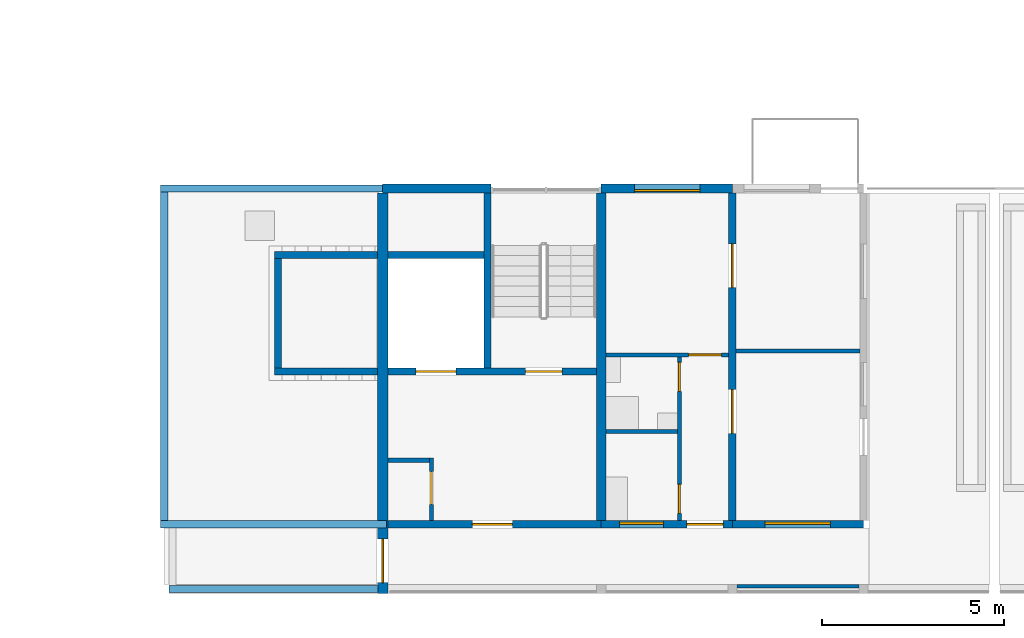
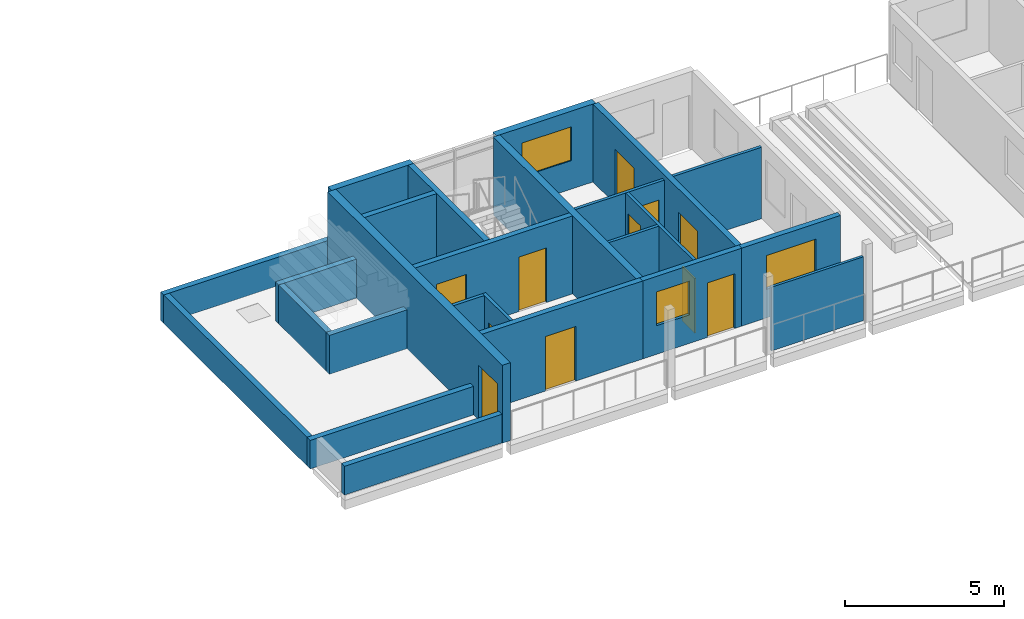
# One storey, part 31 of 55: 25 walls, 11 doors, 3 windows, 14 openings.
"""IFC4 building model written with IfcOpenShell, lengths in metres."""

from ifc_helpers import new_model, si_unit, direction, frame, frame_2d, origin, place, context, subcontext, project, spatial, rectangle, extrude, material, layer, layer_set, type_object, element, fill, save


model = new_model("IFC4")

# Units and contexts
model_context = context("Model", 3, precision=1e-05, world=origin(), true_north=direction((0.0, 1.0)))
body_context = subcontext(model_context, "Body", "Model", "MODEL_VIEW")
ifc_project = project(units=[si_unit("LENGTHUNIT", "METRE"), si_unit("AREAUNIT", "SQUARE_METRE"), si_unit("VOLUMEUNIT", "CUBIC_METRE"), si_unit("PLANEANGLEUNIT", "RADIAN"), si_unit("MASSUNIT", "GRAM", prefix="KILO")], contexts=[model_context])

# Site, building, storey
site_placement = place(None, origin())
site = spatial("IfcSite", under=ifc_project, at=site_placement, CompositionType="ELEMENT")
building_placement = place(site_placement, origin())
building = spatial("IfcBuilding", under=site, at=building_placement, Name="Ridgestep Commons", CompositionType="ELEMENT")
storey_placement = place(building_placement, frame((0.0, 0.0, 36.0)))
storey = spatial("IfcBuildingStorey", under=building, at=storey_placement, Name="L12", CompositionType="ELEMENT", Elevation=36.0)

# Wall
ifc_material_1 = material(Name="Concrete C30/37", Category="concrete")
ifc_layer_1 = layer(ifc_material_1, 0.25)
ifc_layer_set_1 = layer_set([ifc_layer_1], Name="Core cross wall 250")
wall_type_1 = type_object("IfcWallType", Name="Core cross wall 250", PredefinedType="SHEAR", material=ifc_layer_set_1)
wall_1_placement = place(storey_placement, frame((169.60009765625, 13.75, 0.0), z_axis=(0.0, 0.0, 1.0), x_axis=(0.0, 1.0, 0.0)))
element("IfcWall", 1, at=wall_1_placement, inside=storey, type_object=wall_type_1, Name="Cross wall D-12-1696", PredefinedType="SHEAR", context=body_context, shape_type="SweptSolid", body=[
    extrude(rectangle(XDim=9.0, YDim=0.25, at=frame_2d((4.5, 0.0))), origin(), (0.0, 0.0, 1.0), 3.0),
])

# Wall, opening, door
ifc_material_2 = material(Name="Concrete C30/37", Category="concrete")
ifc_layer_2 = layer(ifc_material_2, 0.199951171875)
ifc_layer_set_2 = layer_set([ifc_layer_2], Name="Core south wall 200")
wall_type_2 = type_object("IfcWallType", Name="Core south wall 200", PredefinedType="SHEAR", material=ifc_layer_set_2)
wall_2_placement = place(storey_placement, frame((163.75, 13.64990234375, 0.0), z_axis=(0.0, 0.0, 1.0), x_axis=(1.0, 0.0, 0.0)))
wall_2 = element("IfcWall", 2, at=wall_2_placement, inside=storey, type_object=wall_type_2, Name="Core south wall D2C L12", PredefinedType="SHEAR", context=body_context, shape_type="SweptSolid", body=[
    extrude(rectangle(XDim=5.85009765625, YDim=0.199951171875, at=frame_2d((2.925048828125, 0.0))), origin(), (0.0, 0.0, 1.0), 3.0),
])
opening_1_placement = place(wall_2_placement, frame((2.3125, 0.0, 0.0)))
opening_1 = element("IfcOpeningElement", 3, at=opening_1_placement, cuts=wall_2, Name="Opening D2C/12/1", PredefinedType="OPENING", context=body_context, shape_type="SweptSolid", body=[
    extrude(rectangle(XDim=1.10009765625, YDim=2.10009765625, at=frame_2d((0.550048828125, 1.050048828125))), frame((0.0, 0.10986328125, 0.0), z_axis=(0.0, -1.0, 0.0), x_axis=(1.0, 0.0, 0.0)), (0.0, 0.0, 1.0), 0.219970703125),
])
ifc_material_3 = material(Name="Steel fire door", Category="steel")
door_type_1 = type_object("IfcDoorType", Name="Lobby door 1100 x 2100 FD60", OperationType="NOTDEFINED", PredefinedType="DOOR", material=ifc_material_3)
door_1_placement = place(opening_1_placement, origin())
door_1 = element("IfcDoor", 4, at=door_1_placement, inside=storey, type_object=door_type_1, Name="Lobby door D2C/12/1", OperationType="SINGLE_SWING_LEFT", OverallHeight=2.10009765625, OverallWidth=1.10009765625, PredefinedType="DOOR", context=body_context, shape_type="SweptSolid", body=[
    extrude(rectangle(XDim=1.10009765625, YDim=2.10009765625, at=frame_2d((0.550048828125, 1.050048828125))), frame((0.0, 0.02490234375, 0.0), z_axis=(0.0, -1.0, 0.0), x_axis=(1.0, 0.0, 0.0)), (0.0, 0.0, 1.0), 0.050048828125),
])
fill(opening_1, door_1)

ifc_material_4 = material(Name="Concrete C30/37", Category="concrete")
ifc_layer_3 = layer(ifc_material_4, 0.1201171875)
ifc_layer_set_3 = layer_set([ifc_layer_3], Name="Core wall 120")
wall_type_3 = type_object("IfcWallType", Name="Core wall 120", PredefinedType="SHEAR", material=ifc_layer_set_3)
wall_3_placement = place(storey_placement, frame((164.93994140625, 13.75, 0.0), z_axis=(0.0, 0.0, 1.0), x_axis=(0.0, 1.0, 0.0)))
wall_3 = element("IfcWall", 5, at=wall_3_placement, inside=storey, type_object=wall_type_3, Name="Core riser w wall D2C L12", PredefinedType="SHEAR", context=body_context, shape_type="SweptSolid", body=[
    extrude(rectangle(XDim=1.719970703125, YDim=0.1201171875, at=frame_2d((0.85986328125, 0.0))), origin(), (0.0, 0.0, 1.0), 3.0),
])
opening_2_placement = place(wall_3_placement, frame((0.449951171875, 0.0, 0.0)))
opening_2 = element("IfcOpeningElement", 6, at=opening_2_placement, cuts=wall_3, Name="Opening D2C/12/4", PredefinedType="OPENING", context=body_context, shape_type="SweptSolid", body=[
    extrude(rectangle(XDim=0.89990234375, YDim=2.10009765625, at=frame_2d((0.449951171875, 1.050048828125))), frame((0.0, 0.070068359375, 0.0), z_axis=(0.0, -1.0, 0.0), x_axis=(1.0, 0.0, 0.0)), (0.0, 0.0, 1.0), 0.14013671875),
])
ifc_material_5 = material(Name="Steel fire door", Category="steel")
door_type_2 = type_object("IfcDoorType", Name="Riser door 900 x 2100 FD60", OperationType="NOTDEFINED", PredefinedType="DOOR", material=ifc_material_5)
door_2_placement = place(opening_2_placement, origin())
door_2 = element("IfcDoor", 7, at=door_2_placement, inside=storey, type_object=door_type_2, Name="Riser door D2C/12/4", OperationType="SINGLE_SWING_RIGHT", OverallHeight=2.10009765625, OverallWidth=0.89990234375, PredefinedType="DOOR", context=body_context, shape_type="SweptSolid", body=[
    extrude(rectangle(XDim=0.89990234375, YDim=2.10009765625, at=frame_2d((0.449951171875, 1.050048828125))), frame((0.0, 0.02490234375, 0.0), z_axis=(0.0, -1.0, 0.0), x_axis=(1.0, 0.0, 0.0)), (0.0, 0.0, 1.0), 0.050048828125),
])
fill(opening_2, door_2)

# Wall
wall_4_placement = place(storey_placement, frame((163.75, 15.409912109375, 0.0), z_axis=(0.0, 0.0, 1.0), x_axis=(1.0, 0.0, 0.0)))
element("IfcWall", 8, at=wall_4_placement, inside=storey, type_object=wall_type_3, Name="Core riser n wall D2C L12", PredefinedType="SHEAR", context=body_context, shape_type="SweptSolid", body=[
    extrude(rectangle(XDim=1.1298828125, YDim=0.1201171875, at=frame_2d((0.56494140625, 0.0))), origin(), (0.0, 0.0, 1.0), 3.0),
])

# Wall, openings, doors
ifc_material_6 = material(Name="Concrete C30/37", Category="concrete")
ifc_layer_4 = layer(ifc_material_6, 0.199951171875)
ifc_layer_set_4 = layer_set([ifc_layer_4], Name="Core wall 200")
wall_type_4 = type_object("IfcWallType", Name="Core wall 200", PredefinedType="SHEAR", material=ifc_layer_set_4)
wall_5_placement = place(storey_placement, frame((163.75, 17.85009765625, 0.0), z_axis=(0.0, 0.0, 1.0), x_axis=(1.0, 0.0, 0.0)))
wall_5 = element("IfcWall", 9, at=wall_5_placement, inside=storey, type_object=wall_type_4, Name="Core lobby wall D2C L12", PredefinedType="SHEAR", context=body_context, shape_type="SweptSolid", body=[
    extrude(rectangle(XDim=5.72509765625, YDim=0.199951171875, at=frame_2d((2.862548828125, 0.0))), origin(), (0.0, 0.0, 1.0), 3.0),
])
opening_3_placement = place(wall_5_placement, frame((3.77490234375, 0.0, 0.0)))
opening_3 = element("IfcOpeningElement", 10, at=opening_3_placement, cuts=wall_5, Name="Opening D2C/12/2", PredefinedType="OPENING", context=body_context, shape_type="SweptSolid", body=[
    extrude(rectangle(XDim=1.0, YDim=2.10009765625, at=frame_2d((0.5, 1.050048828125))), frame((0.0, 0.10986328125, 0.0), z_axis=(0.0, -1.0, 0.0), x_axis=(1.0, 0.0, 0.0)), (0.0, 0.0, 1.0), 0.219970703125),
])
opening_4_placement = place(wall_5_placement, frame((0.762451171875, 0.0, 0.0)))
opening_4 = element("IfcOpeningElement", 11, at=opening_4_placement, cuts=wall_5, Name="Opening D2C/12/3", PredefinedType="OPENING", context=body_context, shape_type="SweptSolid", body=[
    extrude(rectangle(XDim=1.10009765625, YDim=2.10009765625, at=frame_2d((0.550048828125, 1.050048828125))), frame((0.0, 0.10986328125, 0.0), z_axis=(0.0, -1.0, 0.0), x_axis=(1.0, 0.0, 0.0)), (0.0, 0.0, 1.0), 0.219970703125),
])
ifc_material_7 = material(Name="Stainless steel", Category="steel")
door_type_3 = type_object("IfcDoorType", Name="Lift landing door 1100 x 2100 FD60", OperationType="DOUBLE_DOOR_SLIDING", PredefinedType="DOOR", material=ifc_material_7)
door_3_placement = place(opening_4_placement, origin())
door_3 = element("IfcDoor", 12, at=door_3_placement, inside=storey, type_object=door_type_3, Name="Landing door LD D2C L12", OperationType="DOUBLE_DOOR_SLIDING", OverallHeight=2.10009765625, OverallWidth=1.10009765625, PredefinedType="DOOR", context=body_context, shape_type="SweptSolid", body=[
    extrude(rectangle(XDim=1.10009765625, YDim=2.10009765625, at=frame_2d((0.550048828125, 1.050048828125))), frame((0.0, 0.02490234375, 0.0), z_axis=(0.0, -1.0, 0.0), x_axis=(1.0, 0.0, 0.0)), (0.0, 0.0, 1.0), 0.050048828125),
])
fill(opening_4, door_3)
ifc_material_8 = material(Name="Steel fire door", Category="steel")
door_type_4 = type_object("IfcDoorType", Name="Stair door 1000 x 2100 FD60", OperationType="NOTDEFINED", PredefinedType="DOOR", material=ifc_material_8)
door_4_placement = place(opening_3_placement, origin())
door_4 = element("IfcDoor", 13, at=door_4_placement, inside=storey, type_object=door_type_4, Name="Stair door D2C/12/2", OperationType="SINGLE_SWING_RIGHT", OverallHeight=2.10009765625, OverallWidth=1.0, PredefinedType="DOOR", context=body_context, shape_type="SweptSolid", body=[
    extrude(rectangle(XDim=1.0, YDim=2.10009765625, at=frame_2d((0.5, 1.050048828125))), frame((0.0, 0.02490234375, 0.0), z_axis=(0.0, -1.0, 0.0), x_axis=(1.0, 0.0, 0.0)), (0.0, 0.0, 1.0), 0.050048828125),
])
fill(opening_3, door_4)

# Walls
wall_6_placement = place(storey_placement, frame((166.47509765625, 17.949951171875, 0.0), z_axis=(0.0, 0.0, 1.0), x_axis=(0.0, 1.0, 0.0)))
element("IfcWall", 14, at=wall_6_placement, inside=storey, type_object=wall_type_4, Name="Core stair wall D2C L12", PredefinedType="SHEAR", context=body_context, shape_type="SweptSolid", body=[
    extrude(rectangle(XDim=4.800048828125, YDim=0.199951171875, at=frame_2d((2.39990234375, 0.0))), origin(), (0.0, 0.0, 1.0), 3.0),
])
wall_7_placement = place(storey_placement, frame((163.75, 21.050048828125, 0.0), z_axis=(0.0, 0.0, 1.0), x_axis=(1.0, 0.0, 0.0)))
element("IfcWall", 15, at=wall_7_placement, inside=storey, type_object=wall_type_4, Name="Core duct wall D2C L12", PredefinedType="SHEAR", context=body_context, shape_type="SweptSolid", body=[
    extrude(rectangle(XDim=2.625, YDim=0.199951171875, at=frame_2d((1.3125, 0.0))), origin(), (0.0, 0.0, 1.0), 3.0),
])

# Wall, openings, doors
ifc_material_9 = material(Name="Precast concrete C40/50", Category="concrete")
ifc_layer_5 = layer(ifc_material_9, 0.199951171875)
ifc_layer_set_5 = layer_set([ifc_layer_5], Name="Cross wall 200")
wall_type_5 = type_object("IfcWallType", Name="Cross wall 200", PredefinedType="SHEAR", material=ifc_layer_set_5)
wall_8_placement = place(storey_placement, frame((173.199951171875, 13.75, 0.0), z_axis=(0.0, 0.0, 1.0), x_axis=(0.0, 1.0, 0.0)))
wall_8 = element("IfcWall", 16, at=wall_8_placement, inside=storey, type_object=wall_type_5, Name="Cross wall D-12-1732", PredefinedType="SHEAR", context=body_context, shape_type="SweptSolid", body=[
    extrude(rectangle(XDim=9.0, YDim=0.199951171875, at=frame_2d((4.5, 0.0))), origin(), (0.0, 0.0, 1.0), 3.0),
])
opening_5_placement = place(wall_8_placement, frame((2.39990234375, 0.0, 0.0)))
opening_5 = element("IfcOpeningElement", 17, at=opening_5_placement, cuts=wall_8, Name="Opening D2-12a/5", PredefinedType="OPENING", context=body_context, shape_type="SweptSolid", body=[
    extrude(rectangle(XDim=1.199951171875, YDim=2.10009765625, at=frame_2d((0.60009765625, 1.050048828125))), frame((0.0, 0.10986328125, 0.0), z_axis=(0.0, -1.0, 0.0), x_axis=(1.0, 0.0, 0.0)), (0.0, 0.0, 1.0), 0.219970703125),
])
opening_6_placement = place(wall_8_placement, frame((6.39990234375, 0.0, 0.0)))
opening_6 = element("IfcOpeningElement", 18, at=opening_6_placement, cuts=wall_8, Name="Opening D2-12a/6", PredefinedType="OPENING", context=body_context, shape_type="SweptSolid", body=[
    extrude(rectangle(XDim=1.199951171875, YDim=2.10009765625, at=frame_2d((0.60009765625, 1.050048828125))), frame((0.0, 0.10986328125, 0.0), z_axis=(0.0, -1.0, 0.0), x_axis=(1.0, 0.0, 0.0)), (0.0, 0.0, 1.0), 0.219970703125),
])
ifc_material_10 = material(Name="Timber door leaf", Category="wood")
door_type_5 = type_object("IfcDoorType", Name="Double door 1200 x 2100", OperationType="DOUBLE_DOOR_SINGLE_SWING", PredefinedType="DOOR", material=ifc_material_10)
door_5_placement = place(opening_5_placement, origin())
door_5 = element("IfcDoor", 19, at=door_5_placement, inside=storey, type_object=door_type_5, Name="Double door D2-12a/5", OperationType="DOUBLE_DOOR_SINGLE_SWING", OverallHeight=2.10009765625, OverallWidth=1.199951171875, PredefinedType="DOOR", context=body_context, shape_type="SweptSolid", body=[
    extrude(rectangle(XDim=1.199951171875, YDim=2.10009765625, at=frame_2d((0.60009765625, 1.050048828125))), frame((0.0, 0.02490234375, 0.0), z_axis=(0.0, -1.0, 0.0), x_axis=(1.0, 0.0, 0.0)), (0.0, 0.0, 1.0), 0.050048828125),
])
fill(opening_5, door_5)
door_6_placement = place(opening_6_placement, origin())
door_6 = element("IfcDoor", 20, at=door_6_placement, inside=storey, type_object=door_type_5, Name="Double door D2-12a/6", OperationType="DOUBLE_DOOR_SINGLE_SWING", OverallHeight=2.10009765625, OverallWidth=1.199951171875, PredefinedType="DOOR", context=body_context, shape_type="SweptSolid", body=[
    extrude(rectangle(XDim=1.199951171875, YDim=2.10009765625, at=frame_2d((0.60009765625, 1.050048828125))), frame((0.0, 0.02490234375, 0.0), z_axis=(0.0, -1.0, 0.0), x_axis=(1.0, 0.0, 0.0)), (0.0, 0.0, 1.0), 0.050048828125),
])
fill(opening_6, door_6)

# Wall, opening, door
ifc_material_11 = material(Name="Precast concrete C40/50", Category="concrete")
ifc_layer_6 = layer(ifc_material_11, 0.300048828125)
ifc_layer_set_6 = layer_set([ifc_layer_6], Name="Exposed division wall 300")
wall_type_6 = type_object("IfcWallType", Name="Exposed division wall 300", PredefinedType="SHEAR", material=ifc_layer_set_6)
wall_9_placement = place(storey_placement, frame((163.60009765625, 11.75, 0.0), z_axis=(0.0, 0.0, 1.0), x_axis=(0.0, 1.0, 0.0)))
wall_9 = element("IfcWall", 21, at=wall_9_placement, inside=storey, type_object=wall_type_6, Name="Cross wall D-12-1636", PredefinedType="SHEAR", context=body_context, shape_type="SweptSolid", body=[
    extrude(rectangle(XDim=11.0, YDim=0.300048828125, at=frame_2d((5.5, 0.0))), origin(), (0.0, 0.0, 1.0), 3.0),
])
opening_7_placement = place(wall_9_placement, frame((0.300048828125, 0.0, 0.0)))
opening_7 = element("IfcOpeningElement", 22, at=opening_7_placement, cuts=wall_9, Name="Opening D/12/G1636", PredefinedType="OPENING", context=body_context, shape_type="SweptSolid", body=[
    extrude(rectangle(XDim=1.199951171875, YDim=2.10009765625, at=frame_2d((0.60009765625, 1.050048828125))), frame((0.0, 0.159912109375, 0.0), z_axis=(0.0, -1.0, 0.0), x_axis=(1.0, 0.0, 0.0)), (0.0, 0.0, 1.0), 0.320068359375),
])
ifc_material_12 = material(Name="Steel fire door", Category="steel")
door_type_6 = type_object("IfcDoorType", Name="Division fire door 1200 x 2100 EI 240", OperationType="DOUBLE_DOOR_SINGLE_SWING", PredefinedType="DOOR", material=ifc_material_12)
door_7_placement = place(opening_7_placement, origin())
door_7 = element("IfcDoor", 23, at=door_7_placement, inside=storey, type_object=door_type_6, Name="Division fire door D/12/G1636", OperationType="DOUBLE_DOOR_SINGLE_SWING", OverallHeight=2.10009765625, OverallWidth=1.199951171875, PredefinedType="DOOR", context=body_context, shape_type="SweptSolid", body=[
    extrude(rectangle(XDim=1.199951171875, YDim=2.10009765625, at=frame_2d((0.60009765625, 1.050048828125))), frame((0.0, 0.02490234375, 0.0), z_axis=(0.0, -1.0, 0.0), x_axis=(1.0, 0.0, 0.0)), (0.0, 0.0, 1.0), 0.050048828125),
])
fill(opening_7, door_7)

# Walls
ifc_material_13 = material(Name="Concrete C30/37", Category="concrete")
ifc_layer_7 = layer(ifc_material_13, 0.199951171875)
ifc_layer_set_7 = layer_set([ifc_layer_7], Name="Lift overrun wall 200")
wall_type_7 = type_object("IfcWallType", Name="Lift overrun wall 200", PredefinedType="SHEAR", material=ifc_layer_set_7)
for number, where, z_axis, x_axis, name in (
    (24, (160.625, 17.85009765625, 0.0), (0.0, 0.0, 1.0), (1.0, 0.0, 0.0), "Lift overrun wall D1C"),
    (25, (160.625, 21.050048828125, 0.0), (0.0, 0.0, 1.0), (1.0, 0.0, 0.0), "Lift overrun wall D1C"),
):
    element("IfcWall", number, at=place(storey_placement, frame(where, z_axis=z_axis, x_axis=x_axis)), inside=storey, type_object=wall_type_7, Name=name, PredefinedType="SHEAR", context=body_context, shape_type="SweptSolid", body=[
        extrude(rectangle(XDim=2.824951171875, YDim=0.199951171875, at=frame_2d((1.41259765625, 0.0))), origin(), (0.0, 0.0, 1.0), 1.5),
    ])
wall_10_placement = place(storey_placement, frame((160.72509765625, 17.949951171875, 0.0), z_axis=(0.0, 0.0, 1.0), x_axis=(0.0, 1.0, 0.0)))
element("IfcWall", 26, at=wall_10_placement, inside=storey, type_object=wall_type_7, Name="Lift overrun wall D1C", PredefinedType="SHEAR", context=body_context, shape_type="SweptSolid", body=[
    extrude(rectangle(XDim=3.0, YDim=0.199951171875, at=frame_2d((1.5, 0.0))), origin(), (0.0, 0.0, 1.0), 1.5),
])
ifc_material_14 = material(Name="Precast concrete C40/50", Category="concrete")
ifc_layer_8 = layer(ifc_material_14, 0.25)
ifc_layer_set_8 = layer_set([ifc_layer_8], Name="North facade panel 250")
wall_type_8 = type_object("IfcWallType", Name="North facade panel 250", PredefinedType="SOLIDWALL", material=ifc_layer_set_8)
wall_11_placement = place(storey_placement, frame((163.60009765625, 22.875, 0.0), z_axis=(0.0, 0.0, 1.0), x_axis=(1.0, 0.0, 0.0)))
element("IfcWall", 27, at=wall_11_placement, inside=storey, type_object=wall_type_8, Name="North panel D2C L12", PredefinedType="SOLIDWALL", context=body_context, shape_type="SweptSolid", body=[
    extrude(rectangle(XDim=2.974853515625, YDim=0.25, at=frame_2d((1.4873046875, 0.0))), origin(), (0.0, 0.0, 1.0), 3.0),
])

# Wall, opening, window
wall_12_placement = place(storey_placement, frame((169.60009765625, 22.875, 0.0), z_axis=(0.0, 0.0, 1.0), x_axis=(1.0, 0.0, 0.0)))
wall_12 = element("IfcWall", 28, at=wall_12_placement, inside=storey, type_object=wall_type_8, Name="North panel D2T3 L12", PredefinedType="SOLIDWALL", context=body_context, shape_type="SweptSolid", body=[
    extrude(rectangle(XDim=3.599853515625, YDim=0.25, at=frame_2d((1.7998046875, 0.0))), origin(), (0.0, 0.0, 1.0), 3.0),
])
opening_8_placement = place(wall_12_placement, frame((0.91259765625, 0.0, 1.10009765625)))
opening_8 = element("IfcOpeningElement", 29, at=opening_8_placement, cuts=wall_12, Name="Opening W18", PredefinedType="OPENING", context=body_context, shape_type="SweptSolid", body=[
    extrude(rectangle(XDim=1.800048828125, YDim=1.300048828125, at=frame_2d((0.89990234375, 0.64990234375))), frame((0.0, 0.135009765625, 0.0), z_axis=(0.0, -1.0, 0.0), x_axis=(1.0, 0.0, 0.0)), (0.0, 0.0, 1.0), 0.27001953125),
])
ifc_material_15 = material(Name="Aluminium 6063-T6 and glass", Category="aluminium")
window_type_1 = type_object("IfcWindowType", Name="Flat window 1800 x 1300", PartitioningType="DOUBLE_PANEL_VERTICAL", PredefinedType="WINDOW", material=ifc_material_15)
window_1_placement = place(opening_8_placement, origin())
window_1 = element("IfcWindow", 30, at=window_1_placement, inside=storey, type_object=window_type_1, Name="Window D2-12a 4", OverallHeight=1.300048828125, OverallWidth=1.800048828125, PartitioningType="SINGLE_PANEL", PredefinedType="WINDOW", context=body_context, shape_type="SweptSolid", body=[
    extrude(rectangle(XDim=1.800048828125, YDim=1.300048828125, at=frame_2d((0.89990234375, 0.64990234375))), frame((0.0, -0.02490234375, 0.0), z_axis=(0.0, -1.0, 0.0), x_axis=(1.0, 0.0, 0.0)), (0.0, 0.0, 1.0), 0.06005859375),
])
fill(opening_8, window_1)

# Walls
ifc_material_16 = material(Name="Precast concrete C40/50", Category="concrete")
ifc_layer_9 = layer(ifc_material_16, 0.199951171875)
ifc_layer_set_9 = layer_set([ifc_layer_9], Name="Parapet wall 200")
wall_type_9 = type_object("IfcWallType", Name="Parapet wall 200", PredefinedType="PARAPET", material=ifc_layer_set_9)
for number, where, z_axis, x_axis, name in (
    (31, (157.5, 22.875, 0.0), (0.0, 0.0, 1.0), (1.0, 0.0, 0.0), "Parapet D1C north"),
    (32, (157.5, 13.64990234375, 0.0), (0.0, 0.0, 1.0), (1.0, 0.0, 0.0), "Parapet D1C south"),
):
    element("IfcWall", number, at=place(storey_placement, frame(where, z_axis=z_axis, x_axis=x_axis)), inside=storey, type_object=wall_type_9, Name=name, PredefinedType="PARAPET", context=body_context, shape_type="SweptSolid", body=[
        extrude(rectangle(XDim=6.199951171875, YDim=0.199951171875, at=frame_2d((3.10009765625, 0.0))), origin(), (0.0, 0.0, 1.0), 1.10009765625),
    ])
wall_13_placement = place(storey_placement, frame((157.60009765625, 13.75, 0.0), z_axis=(0.0, 0.0, 1.0), x_axis=(0.0, 1.0, 0.0)))
element("IfcWall", 33, at=wall_13_placement, inside=storey, type_object=wall_type_9, Name="Parapet D1C west", PredefinedType="PARAPET", context=body_context, shape_type="SweptSolid", body=[
    extrude(rectangle(XDim=9.02490234375, YDim=0.199951171875, at=frame_2d((4.512451171875, 0.0))), origin(), (0.0, 0.0, 1.0), 1.10009765625),
])
wall_14_placement = place(storey_placement, frame((157.72509765625, 11.875, 0.0), z_axis=(0.0, 0.0, 1.0), x_axis=(1.0, 0.0, 0.0)))
element("IfcWall", 34, at=wall_14_placement, inside=storey, type_object=wall_type_9, Name="Parapet D1C gallery south", PredefinedType="PARAPET", context=body_context, shape_type="SweptSolid", body=[
    extrude(rectangle(XDim=5.75, YDim=0.199951171875, at=frame_2d((2.875, 0.0))), origin(), (0.0, 0.0, 1.0), 1.10009765625),
])
ifc_material_17 = material(Name="Common brick 110 mm", Category="masonry")
ifc_layer_10 = layer(ifc_material_17, 0.110107421875)
ifc_layer_set_10 = layer_set([ifc_layer_10], Name="Partition 110")
wall_type_10 = type_object("IfcWallType", Name="Partition 110", PredefinedType="PARTITIONING", material=ifc_layer_set_10)
wall_15_placement = place(storey_placement, frame((169.72509765625, 16.205078125, 0.0), z_axis=(0.0, 0.0, 1.0), x_axis=(1.0, 0.0, 0.0)))
element("IfcWall", 35, at=wall_15_placement, inside=storey, type_object=wall_type_10, Name="Partition D2-12a", PredefinedType="PARTITIONING", context=body_context, shape_type="SweptSolid", body=[
    extrude(rectangle(XDim=1.96484375, YDim=0.110107421875, at=frame_2d((0.982421875, 0.0))), origin(), (0.0, 0.0, 1.0), 2.800048828125),
])

# Wall, openings, doors
wall_16_placement = place(storey_placement, frame((171.7451171875, 13.75, 0.0), z_axis=(0.0, 0.0, 1.0), x_axis=(0.0, 1.0, 0.0)))
wall_16 = element("IfcWall", 36, at=wall_16_placement, inside=storey, type_object=wall_type_10, Name="Partition D2-12a", PredefinedType="PARTITIONING", context=body_context, shape_type="SweptSolid", body=[
    extrude(rectangle(XDim=4.5, YDim=0.110107421875, at=frame_2d((2.25, 0.0))), origin(), (0.0, 0.0, 1.0), 2.800048828125),
])
opening_9_placement = place(wall_16_placement, frame((0.199951171875, 0.0, 0.0)))
opening_9 = element("IfcOpeningElement", 37, at=opening_9_placement, cuts=wall_16, Name="Opening D2-12a/2", PredefinedType="OPENING", context=body_context, shape_type="SweptSolid", body=[
    extrude(rectangle(XDim=0.800048828125, YDim=2.10009765625, at=frame_2d((0.39990234375, 1.050048828125))), frame((0.0, 0.06494140625, 0.0), z_axis=(0.0, -1.0, 0.0), x_axis=(1.0, 0.0, 0.0)), (0.0, 0.0, 1.0), 0.130126953125),
])
opening_10_placement = place(wall_16_placement, frame((3.550048828125, 0.0, 0.0)))
opening_10 = element("IfcOpeningElement", 38, at=opening_10_placement, cuts=wall_16, Name="Opening D2-12a/3", PredefinedType="OPENING", context=body_context, shape_type="SweptSolid", body=[
    extrude(rectangle(XDim=0.800048828125, YDim=2.10009765625, at=frame_2d((0.39990234375, 1.050048828125))), frame((0.0, 0.06494140625, 0.0), z_axis=(0.0, -1.0, 0.0), x_axis=(1.0, 0.0, 0.0)), (0.0, 0.0, 1.0), 0.130126953125),
])
ifc_material_18 = material(Name="Timber door leaf", Category="wood")
door_type_7 = type_object("IfcDoorType", Name="Internal door 800 x 2100", OperationType="NOTDEFINED", PredefinedType="DOOR", material=ifc_material_18)
door_8_placement = place(opening_9_placement, origin())
door_8 = element("IfcDoor", 39, at=door_8_placement, inside=storey, type_object=door_type_7, Name="Internal door D2-12a/2", OperationType="SINGLE_SWING_LEFT", OverallHeight=2.10009765625, OverallWidth=0.800048828125, PredefinedType="DOOR", context=body_context, shape_type="SweptSolid", body=[
    extrude(rectangle(XDim=0.800048828125, YDim=2.10009765625, at=frame_2d((0.39990234375, 1.050048828125))), frame((0.0, 0.02490234375, 0.0), z_axis=(0.0, -1.0, 0.0), x_axis=(1.0, 0.0, 0.0)), (0.0, 0.0, 1.0), 0.050048828125),
])
fill(opening_9, door_8)
door_9_placement = place(opening_10_placement, origin())
door_9 = element("IfcDoor", 40, at=door_9_placement, inside=storey, type_object=door_type_7, Name="Internal door D2-12a/3", OperationType="SINGLE_SWING_RIGHT", OverallHeight=2.10009765625, OverallWidth=0.800048828125, PredefinedType="DOOR", context=body_context, shape_type="SweptSolid", body=[
    extrude(rectangle(XDim=0.800048828125, YDim=2.10009765625, at=frame_2d((0.39990234375, 1.050048828125))), frame((0.0, 0.02490234375, 0.0), z_axis=(0.0, -1.0, 0.0), x_axis=(1.0, 0.0, 0.0)), (0.0, 0.0, 1.0), 0.050048828125),
])
fill(opening_10, door_9)

# Wall, opening, door
wall_17_placement = place(storey_placement, frame((169.72509765625, 18.304931640625, 0.0), z_axis=(0.0, 0.0, 1.0), x_axis=(1.0, 0.0, 0.0)))
wall_17 = element("IfcWall", 41, at=wall_17_placement, inside=storey, type_object=wall_type_10, Name="Partition D2-12a", PredefinedType="PARTITIONING", context=body_context, shape_type="SweptSolid", body=[
    extrude(rectangle(XDim=3.375, YDim=0.110107421875, at=frame_2d((1.6875, 0.0))), origin(), (0.0, 0.0, 1.0), 2.800048828125),
])
opening_11_placement = place(wall_17_placement, frame((2.27490234375, 0.0, 0.0)))
opening_11 = element("IfcOpeningElement", 42, at=opening_11_placement, cuts=wall_17, Name="Opening D2-12a/4", PredefinedType="OPENING", context=body_context, shape_type="SweptSolid", body=[
    extrude(rectangle(XDim=0.89990234375, YDim=2.10009765625, at=frame_2d((0.449951171875, 1.050048828125))), frame((0.0, 0.06494140625, 0.0), z_axis=(0.0, -1.0, 0.0), x_axis=(1.0, 0.0, 0.0)), (0.0, 0.0, 1.0), 0.130126953125),
])
ifc_material_19 = material(Name="Timber door leaf", Category="wood")
door_type_8 = type_object("IfcDoorType", Name="Internal door 900 x 2100", OperationType="NOTDEFINED", PredefinedType="DOOR", material=ifc_material_19)
door_10_placement = place(opening_11_placement, origin())
door_10 = element("IfcDoor", 43, at=door_10_placement, inside=storey, type_object=door_type_8, Name="Internal door D2-12a/4", OperationType="SINGLE_SWING_LEFT", OverallHeight=2.10009765625, OverallWidth=0.89990234375, PredefinedType="DOOR", context=body_context, shape_type="SweptSolid", body=[
    extrude(rectangle(XDim=0.89990234375, YDim=2.10009765625, at=frame_2d((0.449951171875, 1.050048828125))), frame((0.0, 0.02490234375, 0.0), z_axis=(0.0, -1.0, 0.0), x_axis=(1.0, 0.0, 0.0)), (0.0, 0.0, 1.0), 0.050048828125),
])
fill(opening_11, door_10)

# Walls
wall_18_placement = place(storey_placement, frame((173.300048828125, 18.405029296875, 0.0), z_axis=(0.0, 0.0, 1.0), x_axis=(1.0, 0.0, 0.0)))
element("IfcWall", 44, at=wall_18_placement, inside=storey, type_object=wall_type_10, Name="Partition D2-12a", PredefinedType="PARTITIONING", context=body_context, shape_type="SweptSolid", body=[
    extrude(rectangle(XDim=3.39990234375, YDim=0.110107421875, at=frame_2d((1.699951171875, 0.0))), origin(), (0.0, 0.0, 1.0), 2.75),
])
ifc_material_20 = material(Name="Precast concrete C30/37", Category="concrete")
ifc_layer_11 = layer(ifc_material_20, 0.10009765625)
ifc_layer_set_11 = layer_set([ifc_layer_11], Name="Perforated gallery screen 3350 x 2450 x 100")
wall_type_11 = type_object("IfcWallType", Name="Perforated gallery screen 3350 x 2450 x 100", PredefinedType="SOLIDWALL", material=ifc_layer_set_11)
wall_19_placement = place(storey_placement, frame((173.324951171875, 11.949951171875, 0.0), z_axis=(0.0, 0.0, 1.0), x_axis=(1.0, 0.0, 0.0)))
element("IfcWall", 45, at=wall_19_placement, inside=storey, type_object=wall_type_11, Name="Gallery screen D2T2 12", PredefinedType="SOLIDWALL", context=body_context, shape_type="SweptSolid", body=[
    extrude(rectangle(XDim=3.35009765625, YDim=0.10009765625, at=frame_2d((1.675048828125, 0.0))), origin(), (0.0, 0.0, 1.0), 2.449951171875),
])

# Wall, openings, door, window
ifc_material_21 = material(Name="Precast concrete C40/50", Category="concrete")
ifc_layer_12 = layer(ifc_material_21, 0.199951171875)
ifc_layer_set_12 = layer_set([ifc_layer_12], Name="South facade panel 200")
wall_type_12 = type_object("IfcWallType", Name="South facade panel 200", PredefinedType="SOLIDWALL", material=ifc_layer_set_12)
wall_20_placement = place(storey_placement, frame((169.60009765625, 13.64990234375, 0.0), z_axis=(0.0, 0.0, 1.0), x_axis=(1.0, 0.0, 0.0)))
wall_20 = element("IfcWall", 46, at=wall_20_placement, inside=storey, type_object=wall_type_12, Name="South panel D2T3 L12", PredefinedType="SOLIDWALL", context=body_context, shape_type="SweptSolid", body=[
    extrude(rectangle(XDim=3.599853515625, YDim=0.199951171875, at=frame_2d((1.7998046875, 0.0))), origin(), (0.0, 0.0, 1.0), 3.0),
])
opening_12_placement = place(wall_20_placement, frame((0.507568359375, 0.0, 1.10009765625)))
opening_12 = element("IfcOpeningElement", 47, at=opening_12_placement, cuts=wall_20, Name="Opening W08", PredefinedType="OPENING", context=body_context, shape_type="SweptSolid", body=[
    extrude(rectangle(XDim=1.199951171875, YDim=1.300048828125, at=frame_2d((0.60009765625, 0.64990234375))), frame((0.0, 0.10986328125, 0.0), z_axis=(0.0, -1.0, 0.0), x_axis=(1.0, 0.0, 0.0)), (0.0, 0.0, 1.0), 0.219970703125),
])
opening_13_placement = place(wall_20_placement, frame((2.35009765625, 0.0, 0.0)))
opening_13 = element("IfcOpeningElement", 48, at=opening_13_placement, cuts=wall_20, Name="Opening D2-12a/1", PredefinedType="OPENING", context=body_context, shape_type="SweptSolid", body=[
    extrude(rectangle(XDim=1.0, YDim=2.10009765625, at=frame_2d((0.5, 1.050048828125))), frame((0.0, 0.10986328125, 0.0), z_axis=(0.0, -1.0, 0.0), x_axis=(1.0, 0.0, 0.0)), (0.0, 0.0, 1.0), 0.219970703125),
])
ifc_material_22 = material(Name="Timber door leaf", Category="wood")
door_type_9 = type_object("IfcDoorType", Name="Flat entrance door 1000 x 2100 FD30S", OperationType="NOTDEFINED", PredefinedType="DOOR", material=ifc_material_22)
door_11_placement = place(opening_13_placement, origin())
door_11 = element("IfcDoor", 49, at=door_11_placement, inside=storey, type_object=door_type_9, Name="Flat entrance door D2-12a/1", OperationType="SINGLE_SWING_RIGHT", OverallHeight=2.10009765625, OverallWidth=1.0, PredefinedType="DOOR", context=body_context, shape_type="SweptSolid", body=[
    extrude(rectangle(XDim=1.0, YDim=2.10009765625, at=frame_2d((0.5, 1.050048828125))), frame((0.0, 0.02490234375, 0.0), z_axis=(0.0, -1.0, 0.0), x_axis=(1.0, 0.0, 0.0)), (0.0, 0.0, 1.0), 0.050048828125),
])
fill(opening_13, door_11)
ifc_material_23 = material(Name="Aluminium 6063-T6 and glass", Category="aluminium")
window_type_2 = type_object("IfcWindowType", Name="Flat window 1200 x 1300", PartitioningType="SINGLE_PANEL", PredefinedType="WINDOW", material=ifc_material_23)
window_2_placement = place(opening_12_placement, origin())
window_2 = element("IfcWindow", 50, at=window_2_placement, inside=storey, type_object=window_type_2, Name="Window D2-12a 3", OverallHeight=1.300048828125, OverallWidth=1.199951171875, PartitioningType="SINGLE_PANEL", PredefinedType="WINDOW", context=body_context, shape_type="SweptSolid", body=[
    extrude(rectangle(XDim=1.199951171875, YDim=1.300048828125, at=frame_2d((0.60009765625, 0.64990234375))), frame((0.0, 0.06005859375, 0.0), z_axis=(0.0, -1.0, 0.0), x_axis=(1.0, 0.0, 0.0)), (0.0, 0.0, 1.0), 0.06005859375),
])
fill(opening_12, window_2)

# Wall, opening, window
wall_21_placement = place(storey_placement, frame((173.199951171875, 13.64990234375, 0.0), z_axis=(0.0, 0.0, 1.0), x_axis=(1.0, 0.0, 0.0)))
wall_21 = element("IfcWall", 51, at=wall_21_placement, inside=storey, type_object=wall_type_12, Name="South panel D2T2 L12", PredefinedType="SOLIDWALL", context=body_context, shape_type="SweptSolid", body=[
    extrude(rectangle(XDim=3.60009765625, YDim=0.199951171875, at=frame_2d((1.800048828125, 0.0))), origin(), (0.0, 0.0, 1.0), 3.0),
])
opening_14_placement = place(wall_21_placement, frame((0.89990234375, 0.0, 1.10009765625)))
opening_14 = element("IfcOpeningElement", 52, at=opening_14_placement, cuts=wall_21, Name="Opening W18", PredefinedType="OPENING", context=body_context, shape_type="SweptSolid", body=[
    extrude(rectangle(XDim=1.800048828125, YDim=1.300048828125, at=frame_2d((0.89990234375, 0.64990234375))), frame((0.0, 0.10986328125, 0.0), z_axis=(0.0, -1.0, 0.0), x_axis=(1.0, 0.0, 0.0)), (0.0, 0.0, 1.0), 0.219970703125),
])
window_3_placement = place(opening_14_placement, origin())
window_3 = element("IfcWindow", 53, at=window_3_placement, inside=storey, type_object=window_type_1, Name="Window D2-12a 1", OverallHeight=1.300048828125, OverallWidth=1.800048828125, PartitioningType="SINGLE_PANEL", PredefinedType="WINDOW", context=body_context, shape_type="SweptSolid", body=[
    extrude(rectangle(XDim=1.800048828125, YDim=1.300048828125, at=frame_2d((0.89990234375, 0.64990234375))), frame((0.0, 0.06005859375, 0.0), z_axis=(0.0, -1.0, 0.0), x_axis=(1.0, 0.0, 0.0)), (0.0, 0.0, 1.0), 0.06005859375),
])
fill(opening_14, window_3)

save(model, "model.ifc")
